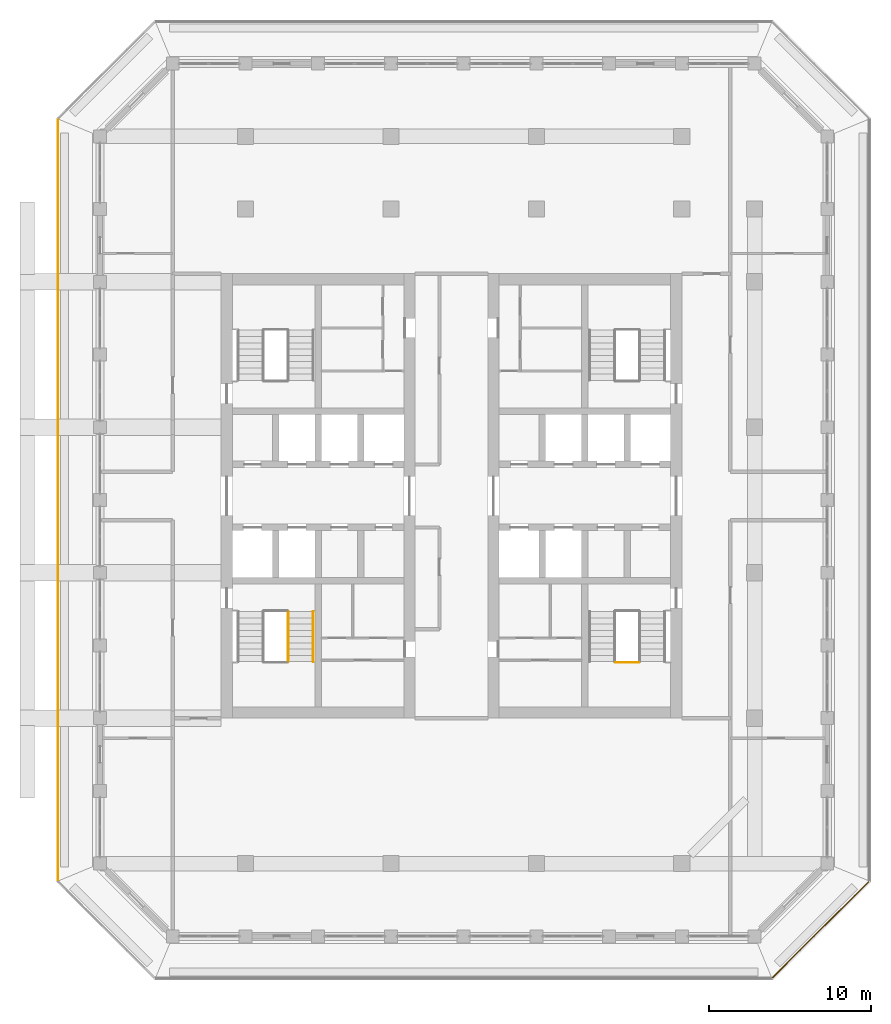
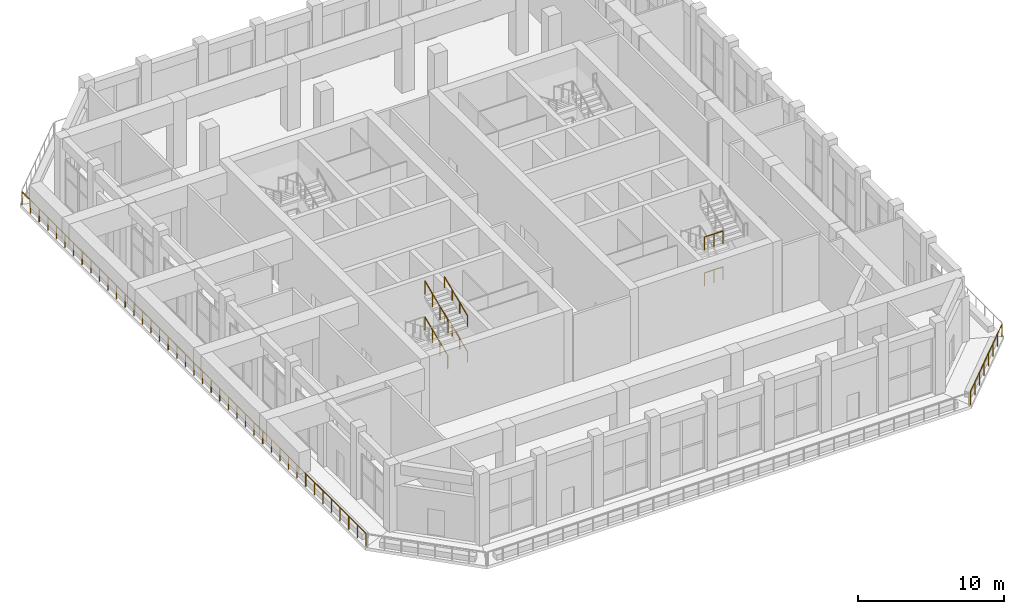
# One storey, part 19 of 25: 8 railings.
"""IFC4 building model written with IfcOpenShell, lengths in metres."""

from ifc_helpers import new_model, si_unit, direction, frame, origin, origin_2d, place, context, subcontext, project, spatial, circle, extrude, material, type_object, element, save


model = new_model("IFC4")

# Units and contexts
model_context = context("Model", 3, precision=1e-05, world=origin(), true_north=direction((0.0, 1.0)))
body_context = subcontext(model_context, "Body", "Model", "MODEL_VIEW")
ifc_project = project(units=[si_unit("LENGTHUNIT", "METRE"), si_unit("AREAUNIT", "SQUARE_METRE"), si_unit("VOLUMEUNIT", "CUBIC_METRE"), si_unit("PLANEANGLEUNIT", "RADIAN"), si_unit("MASSUNIT", "GRAM", prefix="KILO")], contexts=[model_context])

# Site, building, storey
site_placement = place(None, origin())
site = spatial("IfcSite", under=ifc_project, at=site_placement, CompositionType="ELEMENT")
building_placement = place(site_placement, origin())
building = spatial("IfcBuilding", under=site, at=building_placement, Name="Corbel Stack Research Tower", CompositionType="ELEMENT")
storey_placement = place(building_placement, frame((0.0, 0.0, 260.300048828125)))
storey = spatial("IfcBuildingStorey", under=building, at=storey_placement, Name="L59", CompositionType="ELEMENT", Elevation=260.300048828125)

# Railings
ifc_material_1 = material(Name="Steel S355", Category="steel")
railing_type_1 = type_object("IfcRailingType", Name="Stair guard 1100", PredefinedType="GUARDRAIL", material=ifc_material_1)
for number, where, name in (
    (1, (-6.35009765625, -5.50390625, 1.66650390625), "L59 ST-W1 stair guard 4"),
    (2, (-6.35009765625, -5.50390625, 4.66650390625), "L59 ST-W1 stair guard 10"),
):
    element("IfcRailing", number, at=place(storey_placement, frame(where)), inside=storey, type_object=railing_type_1, Name=name, PredefinedType="GUARDRAIL", context=body_context, shape_type="SweptSolid", body=[
        extrude(circle(Radius=0.02392578125, at=origin_2d()), frame((0.0, 0.0, 1.076171875), z_axis=(0.0, 0.918800789217, 0.394721559753), x_axis=(-1.0, 0.0, 0.0)), (0.0, 0.0, 1.0), 3.37841796875),
        extrude(circle(Radius=0.02099609375, at=origin_2d()), origin(), (0.0, 0.0, 1.0), 1.052001953125),
        extrude(circle(Radius=0.02099609375, at=origin_2d()), frame((0.0, 1.03466796875, 0.444580078125)), (0.0, 0.0, 1.0), 1.052001953125),
        extrude(circle(Radius=0.02099609375, at=origin_2d()), frame((0.0, 2.0693359375, 0.888916015625)), (0.0, 0.0, 1.0), 1.052001953125),
        extrude(circle(Radius=0.02099609375, at=origin_2d()), frame((0.0, 3.10400390625, 1.33349609375)), (0.0, 0.0, 1.0), 1.052001953125),
    ])
for number, where, name in (
    (3, (13.89990234375, -5.553955078125, 1.5), "L59 ST-E1 stair guard 2"),
    (4, (13.89990234375, -5.553955078125, 4.5), "L59 ST-E1 stair guard 8"),
):
    element("IfcRailing", number, at=place(storey_placement, frame(where)), inside=storey, type_object=railing_type_1, Name=name, PredefinedType="GUARDRAIL", context=body_context, shape_type="SweptSolid", body=[
        extrude(circle(Radius=0.02392578125, at=origin_2d()), frame((0.0, 0.0, 1.076171875), z_axis=(1.0, 0.0, 0.0), x_axis=(0.0, 1.0, 0.0)), (0.0, 0.0, 1.0), 1.4501953125),
        extrude(circle(Radius=0.02099609375, at=origin_2d()), origin(), (0.0, 0.0, 1.0), 1.052001953125),
        extrude(circle(Radius=0.02099609375, at=origin_2d()), frame((0.72509765625, 0.0, 0.0)), (0.0, 0.0, 1.0), 1.052001953125),
        extrude(circle(Radius=0.02099609375, at=origin_2d()), frame((1.4501953125, 0.0, 0.0)), (0.0, 0.0, 1.0), 1.052001953125),
    ])
ifc_material_2 = material(Name="Steel S355", Category="steel")
railing_type_2 = type_object("IfcRailingType", Name="Stair handrail 900", PredefinedType="HANDRAIL", material=ifc_material_2)
for number, where, name in (
    (5, (-4.800048828125, -5.50390625, 1.66650390625), "L59 ST-W1 stair handrail 2"),
    (6, (-4.800048828125, -5.50390625, 4.66650390625), "L59 ST-W1 stair handrail 4"),
):
    element("IfcRailing", number, at=place(storey_placement, frame(where)), inside=storey, type_object=railing_type_2, Name=name, PredefinedType="HANDRAIL", context=body_context, shape_type="SweptSolid", body=[
        extrude(circle(Radius=0.02392578125, at=origin_2d()), frame((0.0, 0.0, 0.8759765625), z_axis=(0.0, 0.918800789217, 0.394721559753), x_axis=(-1.0, 0.0, 0.0)), (0.0, 0.0, 1.0), 3.37841796875),
        extrude(circle(Radius=0.02099609375, at=origin_2d()), origin(), (0.0, 0.0, 1.0), 0.851806640625),
        extrude(circle(Radius=0.02099609375, at=origin_2d()), frame((0.0, 1.03466796875, 0.444580078125)), (0.0, 0.0, 1.0), 0.851806640625),
        extrude(circle(Radius=0.02099609375, at=origin_2d()), frame((0.0, 2.0693359375, 0.888916015625)), (0.0, 0.0, 1.0), 0.851806640625),
        extrude(circle(Radius=0.02099609375, at=origin_2d()), frame((0.0, 3.10400390625, 1.33349609375)), (0.0, 0.0, 1.0), 0.851806640625),
    ])
ifc_material_3 = material(Name="Powder-coated steel guard", Category="steel")
railing_type_3 = type_object("IfcRailingType", Name="Steel and glass guard 1100", PredefinedType="GUARDRAIL", material=ifc_material_3)
railing_1_placement = place(storey_placement, frame((23.627685546875, -25.04931640625, 0.0)))
element("IfcRailing", 7, at=railing_1_placement, inside=storey, type_object=railing_type_3, Name="Loggia guard L59 SE", PredefinedType="GUARDRAIL", context=body_context, shape_type="SweptSolid", body=[
    extrude(circle(Radius=0.02392578125, at=origin_2d()), frame((0.0, 0.0, 1.076171875), z_axis=(0.707106781187, 0.707106781187, 0.0), x_axis=(-0.707106781187, 0.707106781187, 0.0)), (0.0, 0.0, 1.0), 8.37451171875),
    extrude(circle(Radius=0.02099609375, at=origin_2d()), origin(), (0.0, 0.0, 1.0), 1.052001953125),
    extrude(circle(Radius=0.02099609375, at=origin_2d()), frame((0.845947265625, 0.845947265625, 0.0)), (0.0, 0.0, 1.0), 1.052001953125),
    extrude(circle(Radius=0.02099609375, at=origin_2d()), frame((1.69189453125, 1.69189453125, 0.0)), (0.0, 0.0, 1.0), 1.052001953125),
    extrude(circle(Radius=0.02099609375, at=origin_2d()), frame((2.537841796875, 2.537841796875, 0.0)), (0.0, 0.0, 1.0), 1.052001953125),
    extrude(circle(Radius=0.02099609375, at=origin_2d()), frame((3.3837890625, 3.3837890625, 0.0)), (0.0, 0.0, 1.0), 1.052001953125),
    extrude(circle(Radius=0.02099609375, at=origin_2d()), frame((4.229736328125, 4.229736328125, 0.0)), (0.0, 0.0, 1.0), 1.052001953125),
    extrude(circle(Radius=0.02099609375, at=origin_2d()), frame((5.07568359375, 5.07568359375, 0.0)), (0.0, 0.0, 1.0), 1.052001953125),
    extrude(circle(Radius=0.02099609375, at=origin_2d()), frame((5.921630859375, 5.921630859375, 0.0)), (0.0, 0.0, 1.0), 1.052001953125),
])
railing_2_placement = place(storey_placement, frame((-20.60009765625, 28.00537109375, 0.0)))
element("IfcRailing", 8, at=railing_2_placement, inside=storey, type_object=railing_type_3, Name="Loggia guard L59 W", PredefinedType="GUARDRAIL", context=body_context, shape_type="SweptSolid", body=[
    extrude(circle(Radius=0.02392578125, at=origin_2d()), frame((0.0, 0.0, 1.076171875), z_axis=(0.0, -1.0, 0.0), x_axis=(1.0, 0.0, 0.0)), (0.0, 0.0, 1.0), 47.0107421875),
    extrude(circle(Radius=0.02099609375, at=origin_2d()), origin(), (0.0, 0.0, 1.0), 1.052001953125),
    extrude(circle(Radius=0.02099609375, at=origin_2d()), frame((0.0, -1.17529296875, 0.0)), (0.0, 0.0, 1.0), 1.052001953125),
    extrude(circle(Radius=0.02099609375, at=origin_2d()), frame((0.0, -2.3505859375, 0.0)), (0.0, 0.0, 1.0), 1.052001953125),
    extrude(circle(Radius=0.02099609375, at=origin_2d()), frame((0.0, -3.52587890625, 0.0)), (0.0, 0.0, 1.0), 1.052001953125),
    extrude(circle(Radius=0.02099609375, at=origin_2d()), frame((0.0, -4.701171875, 0.0)), (0.0, 0.0, 1.0), 1.052001953125),
    extrude(circle(Radius=0.02099609375, at=origin_2d()), frame((0.0, -5.87646484375, 0.0)), (0.0, 0.0, 1.0), 1.052001953125),
    extrude(circle(Radius=0.02099609375, at=origin_2d()), frame((0.0, -7.051513671875, 0.0)), (0.0, 0.0, 1.0), 1.052001953125),
    extrude(circle(Radius=0.02099609375, at=origin_2d()), frame((0.0, -8.226806640625, 0.0)), (0.0, 0.0, 1.0), 1.052001953125),
    extrude(circle(Radius=0.02099609375, at=origin_2d()), frame((0.0, -9.402099609375, 0.0)), (0.0, 0.0, 1.0), 1.052001953125),
    extrude(circle(Radius=0.02099609375, at=origin_2d()), frame((0.0, -10.577392578125, 0.0)), (0.0, 0.0, 1.0), 1.052001953125),
    extrude(circle(Radius=0.02099609375, at=origin_2d()), frame((0.0, -11.752685546875, 0.0)), (0.0, 0.0, 1.0), 1.052001953125),
    extrude(circle(Radius=0.02099609375, at=origin_2d()), frame((0.0, -12.927978515625, 0.0)), (0.0, 0.0, 1.0), 1.052001953125),
    extrude(circle(Radius=0.02099609375, at=origin_2d()), frame((0.0, -14.103271484375, 0.0)), (0.0, 0.0, 1.0), 1.052001953125),
    extrude(circle(Radius=0.02099609375, at=origin_2d()), frame((0.0, -15.278564453125, 0.0)), (0.0, 0.0, 1.0), 1.052001953125),
    extrude(circle(Radius=0.02099609375, at=origin_2d()), frame((0.0, -16.453857421875, 0.0)), (0.0, 0.0, 1.0), 1.052001953125),
    extrude(circle(Radius=0.02099609375, at=origin_2d()), frame((0.0, -17.62890625, 0.0)), (0.0, 0.0, 1.0), 1.052001953125),
    extrude(circle(Radius=0.02099609375, at=origin_2d()), frame((0.0, -18.80419921875, 0.0)), (0.0, 0.0, 1.0), 1.052001953125),
    extrude(circle(Radius=0.02099609375, at=origin_2d()), frame((0.0, -19.9794921875, 0.0)), (0.0, 0.0, 1.0), 1.052001953125),
    extrude(circle(Radius=0.02099609375, at=origin_2d()), frame((0.0, -21.15478515625, 0.0)), (0.0, 0.0, 1.0), 1.052001953125),
    extrude(circle(Radius=0.02099609375, at=origin_2d()), frame((0.0, -22.330078125, 0.0)), (0.0, 0.0, 1.0), 1.052001953125),
    extrude(circle(Radius=0.02099609375, at=origin_2d()), frame((0.0, -23.50537109375, 0.0)), (0.0, 0.0, 1.0), 1.052001953125),
    extrude(circle(Radius=0.02099609375, at=origin_2d()), frame((0.0, -24.6806640625, 0.0)), (0.0, 0.0, 1.0), 1.052001953125),
    extrude(circle(Radius=0.02099609375, at=origin_2d()), frame((0.0, -25.85595703125, 0.0)), (0.0, 0.0, 1.0), 1.052001953125),
    extrude(circle(Radius=0.02099609375, at=origin_2d()), frame((0.0, -27.03125, 0.0)), (0.0, 0.0, 1.0), 1.052001953125),
    extrude(circle(Radius=0.02099609375, at=origin_2d()), frame((0.0, -28.20654296875, 0.0)), (0.0, 0.0, 1.0), 1.052001953125),
    extrude(circle(Radius=0.02099609375, at=origin_2d()), frame((0.0, -29.3818359375, 0.0)), (0.0, 0.0, 1.0), 1.052001953125),
    extrude(circle(Radius=0.02099609375, at=origin_2d()), frame((0.0, -30.556884765625, 0.0)), (0.0, 0.0, 1.0), 1.052001953125),
    extrude(circle(Radius=0.02099609375, at=origin_2d()), frame((0.0, -31.732177734375, 0.0)), (0.0, 0.0, 1.0), 1.052001953125),
    extrude(circle(Radius=0.02099609375, at=origin_2d()), frame((0.0, -32.907470703125, 0.0)), (0.0, 0.0, 1.0), 1.052001953125),
    extrude(circle(Radius=0.02099609375, at=origin_2d()), frame((0.0, -34.082763671875, 0.0)), (0.0, 0.0, 1.0), 1.052001953125),
    extrude(circle(Radius=0.02099609375, at=origin_2d()), frame((0.0, -35.258056640625, 0.0)), (0.0, 0.0, 1.0), 1.052001953125),
    extrude(circle(Radius=0.02099609375, at=origin_2d()), frame((0.0, -36.433349609375, 0.0)), (0.0, 0.0, 1.0), 1.052001953125),
    extrude(circle(Radius=0.02099609375, at=origin_2d()), frame((0.0, -37.608642578125, 0.0)), (0.0, 0.0, 1.0), 1.052001953125),
    extrude(circle(Radius=0.02099609375, at=origin_2d()), frame((0.0, -38.783935546875, 0.0)), (0.0, 0.0, 1.0), 1.052001953125),
    extrude(circle(Radius=0.02099609375, at=origin_2d()), frame((0.0, -39.959228515625, 0.0)), (0.0, 0.0, 1.0), 1.052001953125),
    extrude(circle(Radius=0.02099609375, at=origin_2d()), frame((0.0, -41.13427734375, 0.0)), (0.0, 0.0, 1.0), 1.052001953125),
    extrude(circle(Radius=0.02099609375, at=origin_2d()), frame((0.0, -42.3095703125, 0.0)), (0.0, 0.0, 1.0), 1.052001953125),
    extrude(circle(Radius=0.02099609375, at=origin_2d()), frame((0.0, -43.48486328125, 0.0)), (0.0, 0.0, 1.0), 1.052001953125),
    extrude(circle(Radius=0.02099609375, at=origin_2d()), frame((0.0, -44.66015625, 0.0)), (0.0, 0.0, 1.0), 1.052001953125),
    extrude(circle(Radius=0.02099609375, at=origin_2d()), frame((0.0, -45.83544921875, 0.0)), (0.0, 0.0, 1.0), 1.052001953125),
    extrude(circle(Radius=0.02099609375, at=origin_2d()), frame((0.0, -47.0107421875, 0.0)), (0.0, 0.0, 1.0), 1.052001953125),
])

save(model, "model.ifc")
